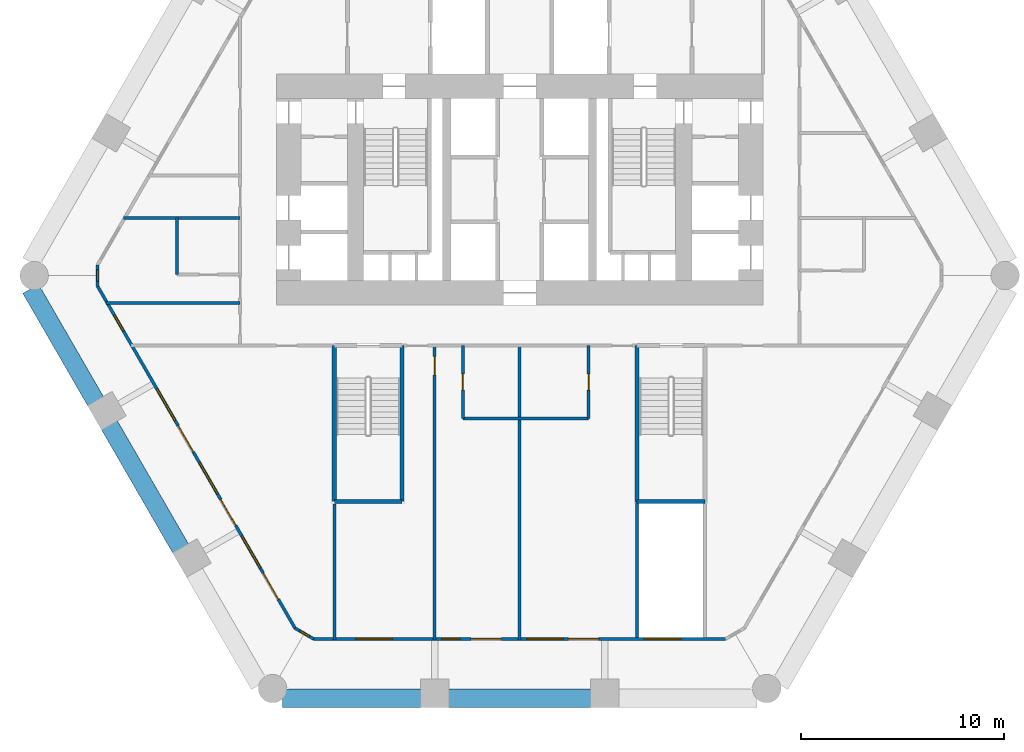
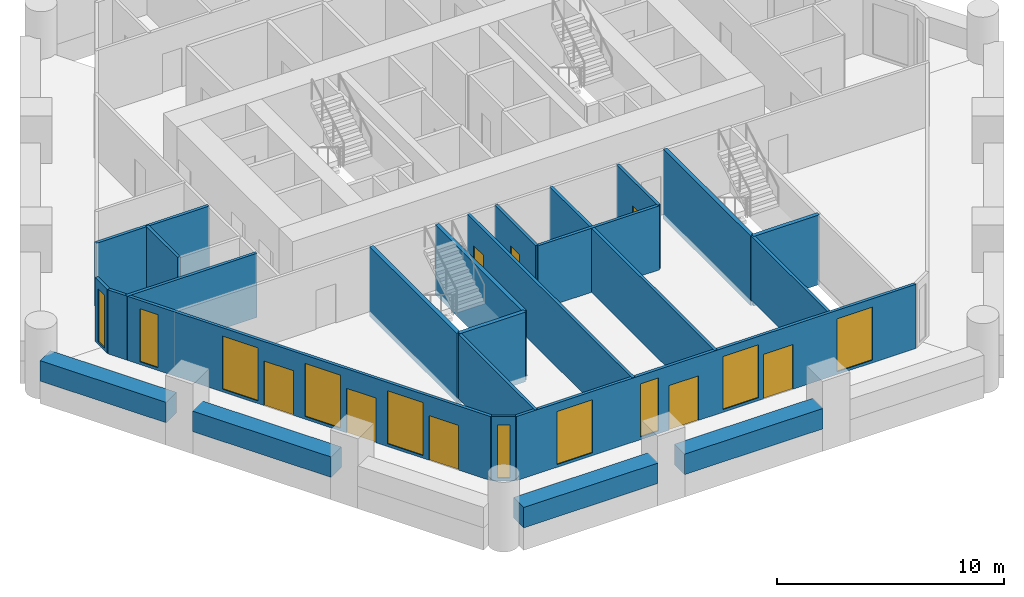
# One storey, part 2 of 8: 23 walls, 10 windows, 8 doors, 18 openings.
"""IFC4 building model written with IfcOpenShell, lengths in metres."""

from ifc_helpers import new_model, si_unit, direction, frame, frame_2d, origin, place, context, subcontext, project, spatial, rectangle, extrude, material, layer, layer_set, type_object, element, fill, save


model = new_model("IFC4")

# Units and contexts
model_context = context("Model", 3, precision=1e-05, world=origin(), true_north=direction((0.0, 1.0)))
body_context = subcontext(model_context, "Body", "Model", "MODEL_VIEW")
ifc_project = project(units=[si_unit("LENGTHUNIT", "METRE"), si_unit("AREAUNIT", "SQUARE_METRE"), si_unit("VOLUMEUNIT", "CUBIC_METRE"), si_unit("PLANEANGLEUNIT", "RADIAN"), si_unit("MASSUNIT", "GRAM", prefix="KILO")], contexts=[model_context])

# Site, building, storey
site_placement = place(None, origin())
site = spatial("IfcSite", under=ifc_project, at=site_placement, CompositionType="ELEMENT")
building_placement = place(site_placement, origin())
building = spatial("IfcBuilding", under=site, at=building_placement, Name="Ostrander Bayou Hotel Tower", CompositionType="ELEMENT")
storey_placement = place(building_placement, frame((0.0, 0.0, 43.0)))
storey = spatial("IfcBuildingStorey", under=building, at=storey_placement, Name="L10", CompositionType="ELEMENT", Elevation=43.0)

# Wall, openings, doors, windows
ifc_material_1 = material(Name="Aluminium framed insulated wall", Category="aluminium")
ifc_layer_1 = layer(ifc_material_1, 0.14990234375)
ifc_layer_set_1 = layer_set([ifc_layer_1], Name="GW1 glass-line wall 150 mm")
wall_type_1 = type_object("IfcWallType", Name="GW1 glass-line wall 150 mm", PredefinedType="SOLIDWALL", material=ifc_layer_set_1)
wall_1_placement = place(storey_placement, frame((-20.826171875, -0.778076171875, 0.0), z_axis=(0.0, 0.0, 1.0), x_axis=(0.499999841607, -0.866025495233, 0.0)))
wall_1 = element("IfcWall", 1, at=wall_1_placement, inside=storey, type_object=wall_type_1, Name="GW1 L10 SW 1", PredefinedType="SOLIDWALL", context=body_context, shape_type="SweptSolid", body=[
    extrude(rectangle(XDim=19.478515625, YDim=0.14990234375, at=frame_2d((9.7392578125, 0.0))), origin(), (0.0, 0.0, 1.0), 3.449951171875),
])
opening_1_placement = place(wall_1_placement, frame((1.639404296875, 0.0, 0.14990234375)))
opening_1 = element("IfcOpeningElement", 2, at=opening_1_placement, cuts=wall_1, Name="Opening W15", PredefinedType="OPENING", context=body_context, shape_type="SweptSolid", body=[
    extrude(rectangle(XDim=0.89990234375, YDim=2.85009765625, at=frame_2d((0.449951171875, 1.425048828125))), frame((0.0, 0.074951171875, 0.0), z_axis=(0.0, -1.0, 0.0), x_axis=(1.0, 0.0, 0.0)), (0.0, 0.0, 1.0), 0.14990234375),
])
opening_2_placement = place(wall_1_placement, frame((5.83935546875, 0.0, 0.14990234375)))
opening_2 = element("IfcOpeningElement", 3, at=opening_2_placement, cuts=wall_1, Name="Opening W1", PredefinedType="OPENING", context=body_context, shape_type="SweptSolid", body=[
    extrude(rectangle(XDim=1.800048828125, YDim=2.85009765625, at=frame_2d((0.89990234375, 1.425048828125))), frame((0.0, 0.074951171875, 0.0), z_axis=(0.0, -1.0, 0.0), x_axis=(1.0, 0.0, 0.0)), (0.0, 0.0, 1.0), 0.14990234375),
])
opening_3_placement = place(wall_1_placement, frame((7.939208984375, 0.0, 0.0)))
opening_3 = element("IfcOpeningElement", 4, at=opening_3_placement, cuts=wall_1, Name="Opening T09-800", PredefinedType="OPENING", context=body_context, shape_type="SweptSolid", body=[
    extrude(rectangle(XDim=1.5, YDim=2.39990234375, at=frame_2d((0.75, 1.199951171875))), frame((0.0, 0.074951171875, 0.0), z_axis=(0.0, -1.0, 0.0), x_axis=(1.0, 0.0, 0.0)), (0.0, 0.0, 1.0), 0.14990234375),
])
opening_4_placement = place(wall_1_placement, frame((10.039306640625, 0.0, 0.14990234375)))
opening_4 = element("IfcOpeningElement", 5, at=opening_4_placement, cuts=wall_1, Name="Opening W1", PredefinedType="OPENING", context=body_context, shape_type="SweptSolid", body=[
    extrude(rectangle(XDim=1.800048828125, YDim=2.85009765625, at=frame_2d((0.89990234375, 1.425048828125))), frame((0.0, 0.074951171875, 0.0), z_axis=(0.0, -1.0, 0.0), x_axis=(1.0, 0.0, 0.0)), (0.0, 0.0, 1.0), 0.14990234375),
])
opening_5_placement = place(wall_1_placement, frame((12.139404296875, 0.0, 0.0)))
opening_5 = element("IfcOpeningElement", 6, at=opening_5_placement, cuts=wall_1, Name="Opening T09-801", PredefinedType="OPENING", context=body_context, shape_type="SweptSolid", body=[
    extrude(rectangle(XDim=1.5, YDim=2.39990234375, at=frame_2d((0.75, 1.199951171875))), frame((0.0, 0.074951171875, 0.0), z_axis=(0.0, -1.0, 0.0), x_axis=(1.0, 0.0, 0.0)), (0.0, 0.0, 1.0), 0.14990234375),
])
opening_6_placement = place(wall_1_placement, frame((14.2392578125, 0.0, 0.14990234375)))
opening_6 = element("IfcOpeningElement", 7, at=opening_6_placement, cuts=wall_1, Name="Opening W1", PredefinedType="OPENING", context=body_context, shape_type="SweptSolid", body=[
    extrude(rectangle(XDim=1.800048828125, YDim=2.85009765625, at=frame_2d((0.89990234375, 1.425048828125))), frame((0.0, 0.074951171875, 0.0), z_axis=(0.0, -1.0, 0.0), x_axis=(1.0, 0.0, 0.0)), (0.0, 0.0, 1.0), 0.14990234375),
])
opening_7_placement = place(wall_1_placement, frame((16.33935546875, 0.0, 0.0)))
opening_7 = element("IfcOpeningElement", 8, at=opening_7_placement, cuts=wall_1, Name="Opening T09-802", PredefinedType="OPENING", context=body_context, shape_type="SweptSolid", body=[
    extrude(rectangle(XDim=1.5, YDim=2.39990234375, at=frame_2d((0.75, 1.199951171875))), frame((0.0, 0.074951171875, 0.0), z_axis=(0.0, -1.0, 0.0), x_axis=(1.0, 0.0, 0.0)), (0.0, 0.0, 1.0), 0.14990234375),
])
ifc_material_2 = material(Name="Aluminium and clear glass", Category="aluminium")
door_type_1 = type_object("IfcDoorType", Name="SD1 sliding glass door 1500 mm, zone 1", OperationType="SLIDING_TO_LEFT", PredefinedType="DOOR", material=ifc_material_2)
door_1_placement = place(opening_3_placement, origin())
door_1 = element("IfcDoor", 9, at=door_1_placement, inside=storey, type_object=door_type_1, Name="SD1 L10 SW 2", OperationType="SLIDING_TO_RIGHT", OverallHeight=2.39990234375, OverallWidth=1.5, PredefinedType="DOOR", context=body_context, shape_type="SweptSolid", body=[
    extrude(rectangle(XDim=1.5, YDim=2.39990234375, at=frame_2d((0.75, 1.199951171875))), frame((0.0, 0.02490234375, 0.0), z_axis=(0.0, -1.0, 0.0), x_axis=(1.0, 0.0, 0.0)), (0.0, 0.0, 1.0), 0.050048828125),
])
fill(opening_3, door_1)
door_2_placement = place(opening_5_placement, origin())
door_2 = element("IfcDoor", 10, at=door_2_placement, inside=storey, type_object=door_type_1, Name="SD1 L10 SW 3", OperationType="SLIDING_TO_LEFT", OverallHeight=2.39990234375, OverallWidth=1.5, PredefinedType="DOOR", context=body_context, shape_type="SweptSolid", body=[
    extrude(rectangle(XDim=1.5, YDim=2.39990234375, at=frame_2d((0.75, 1.199951171875))), frame((0.0, 0.02490234375, 0.0), z_axis=(0.0, -1.0, 0.0), x_axis=(1.0, 0.0, 0.0)), (0.0, 0.0, 1.0), 0.050048828125),
])
fill(opening_5, door_2)
door_3_placement = place(opening_7_placement, origin())
door_3 = element("IfcDoor", 11, at=door_3_placement, inside=storey, type_object=door_type_1, Name="SD1 L10 SW 4", OperationType="SLIDING_TO_RIGHT", OverallHeight=2.39990234375, OverallWidth=1.5, PredefinedType="DOOR", context=body_context, shape_type="SweptSolid", body=[
    extrude(rectangle(XDim=1.5, YDim=2.39990234375, at=frame_2d((0.75, 1.199951171875))), frame((0.0, 0.02490234375, 0.0), z_axis=(0.0, -1.0, 0.0), x_axis=(1.0, 0.0, 0.0)), (0.0, 0.0, 1.0), 0.050048828125),
])
fill(opening_7, door_3)
ifc_material_3 = material(Name="Aluminium and clear glass", Category="aluminium")
window_type_1 = type_object("IfcWindowType", Name="W1 fixed window 1800 mm, zone 1", PartitioningType="SINGLE_PANEL", PredefinedType="WINDOW", material=ifc_material_3)
window_1_placement = place(opening_2_placement, origin())
window_1 = element("IfcWindow", 12, at=window_1_placement, inside=storey, type_object=window_type_1, Name="W1 L10 SW 2", OverallHeight=2.85009765625, OverallWidth=1.800048828125, PartitioningType="SINGLE_PANEL", PredefinedType="WINDOW", context=body_context, shape_type="SweptSolid", body=[
    extrude(rectangle(XDim=1.800048828125, YDim=2.85009765625, at=frame_2d((0.89990234375, 1.425048828125))), frame((0.0, 0.030029296875, 0.0), z_axis=(0.0, -1.0, 0.0), x_axis=(1.0, 0.0, 0.0)), (0.0, 0.0, 1.0), 0.06005859375),
])
fill(opening_2, window_1)
window_2_placement = place(opening_4_placement, origin())
window_2 = element("IfcWindow", 13, at=window_2_placement, inside=storey, type_object=window_type_1, Name="W1 L10 SW 3", OverallHeight=2.85009765625, OverallWidth=1.800048828125, PartitioningType="SINGLE_PANEL", PredefinedType="WINDOW", context=body_context, shape_type="SweptSolid", body=[
    extrude(rectangle(XDim=1.800048828125, YDim=2.85009765625, at=frame_2d((0.89990234375, 1.425048828125))), frame((0.0, 0.030029296875, 0.0), z_axis=(0.0, -1.0, 0.0), x_axis=(1.0, 0.0, 0.0)), (0.0, 0.0, 1.0), 0.06005859375),
])
fill(opening_4, window_2)
window_3_placement = place(opening_6_placement, origin())
window_3 = element("IfcWindow", 14, at=window_3_placement, inside=storey, type_object=window_type_1, Name="W1 L10 SW 4", OverallHeight=2.85009765625, OverallWidth=1.800048828125, PartitioningType="SINGLE_PANEL", PredefinedType="WINDOW", context=body_context, shape_type="SweptSolid", body=[
    extrude(rectangle(XDim=1.800048828125, YDim=2.85009765625, at=frame_2d((0.89990234375, 1.425048828125))), frame((0.0, 0.030029296875, 0.0), z_axis=(0.0, -1.0, 0.0), x_axis=(1.0, 0.0, 0.0)), (0.0, 0.0, 1.0), 0.06005859375),
])
fill(opening_6, window_3)
ifc_material_4 = material(Name="Aluminium and clear glass", Category="aluminium")
window_type_2 = type_object("IfcWindowType", Name="W15 window 900 mm, zone 1", PartitioningType="SINGLE_PANEL", PredefinedType="WINDOW", material=ifc_material_4)
window_4_placement = place(opening_1_placement, origin())
window_4 = element("IfcWindow", 15, at=window_4_placement, inside=storey, type_object=window_type_2, Name="W15 L10 SW 1", OverallHeight=2.85009765625, OverallWidth=0.89990234375, PartitioningType="SINGLE_PANEL", PredefinedType="WINDOW", context=body_context, shape_type="SweptSolid", body=[
    extrude(rectangle(XDim=0.89990234375, YDim=2.85009765625, at=frame_2d((0.449951171875, 1.425048828125))), frame((0.0, 0.030029296875, 0.0), z_axis=(0.0, -1.0, 0.0), x_axis=(1.0, 0.0, 0.0)), (0.0, 0.0, 1.0), 0.06005859375),
])
fill(opening_1, window_4)

wall_2_placement = place(storey_placement, frame((-10.16455078125, -18.179443359375, 0.0), z_axis=(0.0, 0.0, 1.0), x_axis=(1.0, 0.0, 0.0)))
wall_2 = element("IfcWall", 16, at=wall_2_placement, inside=storey, type_object=wall_type_1, Name="GW1 L10 S 1", PredefinedType="SOLIDWALL", context=body_context, shape_type="SweptSolid", body=[
    extrude(rectangle(XDim=20.3291015625, YDim=0.14990234375, at=frame_2d((10.16455078125, 0.0))), origin(), (0.0, 0.0, 1.0), 3.449951171875),
])
opening_8_placement = place(wall_2_placement, frame((2.064453125, 0.0, 0.14990234375)))
opening_8 = element("IfcOpeningElement", 17, at=opening_8_placement, cuts=wall_2, Name="Opening W1", PredefinedType="OPENING", context=body_context, shape_type="SweptSolid", body=[
    extrude(rectangle(XDim=1.800048828125, YDim=2.85009765625, at=frame_2d((0.89990234375, 1.425048828125))), frame((0.0, 0.074951171875, 0.0), z_axis=(0.0, -1.0, 0.0), x_axis=(1.0, 0.0, 0.0)), (0.0, 0.0, 1.0), 0.14990234375),
])
opening_9_placement = place(wall_2_placement, frame((6.314453125, 0.0, 0.14990234375)))
opening_9 = element("IfcOpeningElement", 18, at=opening_9_placement, cuts=wall_2, Name="Opening W15", PredefinedType="OPENING", context=body_context, shape_type="SweptSolid", body=[
    extrude(rectangle(XDim=0.89990234375, YDim=2.85009765625, at=frame_2d((0.449951171875, 1.425048828125))), frame((0.0, 0.074951171875, 0.0), z_axis=(0.0, -1.0, 0.0), x_axis=(1.0, 0.0, 0.0)), (0.0, 0.0, 1.0), 0.14990234375),
])
opening_10_placement = place(wall_2_placement, frame((7.764404296875, 0.0, 0.0)))
opening_10 = element("IfcOpeningElement", 19, at=opening_10_placement, cuts=wall_2, Name="Opening T09-803", PredefinedType="OPENING", context=body_context, shape_type="SweptSolid", body=[
    extrude(rectangle(XDim=1.5, YDim=2.39990234375, at=frame_2d((0.75, 1.199951171875))), frame((0.0, 0.074951171875, 0.0), z_axis=(0.0, -1.0, 0.0), x_axis=(1.0, 0.0, 0.0)), (0.0, 0.0, 1.0), 0.14990234375),
])
opening_11_placement = place(wall_2_placement, frame((10.514404296875, 0.0, 0.14990234375)))
opening_11 = element("IfcOpeningElement", 20, at=opening_11_placement, cuts=wall_2, Name="Opening W1", PredefinedType="OPENING", context=body_context, shape_type="SweptSolid", body=[
    extrude(rectangle(XDim=1.800048828125, YDim=2.85009765625, at=frame_2d((0.89990234375, 1.425048828125))), frame((0.0, 0.074951171875, 0.0), z_axis=(0.0, -1.0, 0.0), x_axis=(1.0, 0.0, 0.0)), (0.0, 0.0, 1.0), 0.14990234375),
])
opening_12_placement = place(wall_2_placement, frame((12.564453125, 0.0, 0.0)))
opening_12 = element("IfcOpeningElement", 21, at=opening_12_placement, cuts=wall_2, Name="Opening T09-804", PredefinedType="OPENING", context=body_context, shape_type="SweptSolid", body=[
    extrude(rectangle(XDim=1.5, YDim=2.39990234375, at=frame_2d((0.75, 1.199951171875))), frame((0.0, 0.074951171875, 0.0), z_axis=(0.0, -1.0, 0.0), x_axis=(1.0, 0.0, 0.0)), (0.0, 0.0, 1.0), 0.14990234375),
])
opening_13_placement = place(wall_2_placement, frame((16.314453125, 0.0, 0.14990234375)))
opening_13 = element("IfcOpeningElement", 22, at=opening_13_placement, cuts=wall_2, Name="Opening W1", PredefinedType="OPENING", context=body_context, shape_type="SweptSolid", body=[
    extrude(rectangle(XDim=1.800048828125, YDim=2.85009765625, at=frame_2d((0.89990234375, 1.425048828125))), frame((0.0, 0.074951171875, 0.0), z_axis=(0.0, -1.0, 0.0), x_axis=(1.0, 0.0, 0.0)), (0.0, 0.0, 1.0), 0.14990234375),
])
door_4_placement = place(opening_10_placement, origin())
door_4 = element("IfcDoor", 23, at=door_4_placement, inside=storey, type_object=door_type_1, Name="SD1 L10 S 2", OperationType="SLIDING_TO_RIGHT", OverallHeight=2.39990234375, OverallWidth=1.5, PredefinedType="DOOR", context=body_context, shape_type="SweptSolid", body=[
    extrude(rectangle(XDim=1.5, YDim=2.39990234375, at=frame_2d((0.75, 1.199951171875))), frame((0.0, 0.02490234375, 0.0), z_axis=(0.0, -1.0, 0.0), x_axis=(1.0, 0.0, 0.0)), (0.0, 0.0, 1.0), 0.050048828125),
])
fill(opening_10, door_4)
door_5_placement = place(opening_12_placement, origin())
door_5 = element("IfcDoor", 24, at=door_5_placement, inside=storey, type_object=door_type_1, Name="SD1 L10 S 3", OperationType="SLIDING_TO_LEFT", OverallHeight=2.39990234375, OverallWidth=1.5, PredefinedType="DOOR", context=body_context, shape_type="SweptSolid", body=[
    extrude(rectangle(XDim=1.5, YDim=2.39990234375, at=frame_2d((0.75, 1.199951171875))), frame((0.0, 0.02490234375, 0.0), z_axis=(0.0, -1.0, 0.0), x_axis=(1.0, 0.0, 0.0)), (0.0, 0.0, 1.0), 0.050048828125),
])
fill(opening_12, door_5)
window_5_placement = place(opening_8_placement, origin())
window_5 = element("IfcWindow", 25, at=window_5_placement, inside=storey, type_object=window_type_1, Name="W1 L10 S 1", OverallHeight=2.85009765625, OverallWidth=1.800048828125, PartitioningType="SINGLE_PANEL", PredefinedType="WINDOW", context=body_context, shape_type="SweptSolid", body=[
    extrude(rectangle(XDim=1.800048828125, YDim=2.85009765625, at=frame_2d((0.89990234375, 1.425048828125))), frame((0.0, 0.030029296875, 0.0), z_axis=(0.0, -1.0, 0.0), x_axis=(1.0, 0.0, 0.0)), (0.0, 0.0, 1.0), 0.06005859375),
])
fill(opening_8, window_5)
window_6_placement = place(opening_11_placement, origin())
window_6 = element("IfcWindow", 26, at=window_6_placement, inside=storey, type_object=window_type_1, Name="W1 L10 S 3", OverallHeight=2.85009765625, OverallWidth=1.800048828125, PartitioningType="SINGLE_PANEL", PredefinedType="WINDOW", context=body_context, shape_type="SweptSolid", body=[
    extrude(rectangle(XDim=1.800048828125, YDim=2.85009765625, at=frame_2d((0.89990234375, 1.425048828125))), frame((0.0, 0.030029296875, 0.0), z_axis=(0.0, -1.0, 0.0), x_axis=(1.0, 0.0, 0.0)), (0.0, 0.0, 1.0), 0.06005859375),
])
fill(opening_11, window_6)
window_7_placement = place(opening_13_placement, origin())
window_7 = element("IfcWindow", 27, at=window_7_placement, inside=storey, type_object=window_type_1, Name="W1 L10 S 4", OverallHeight=2.85009765625, OverallWidth=1.800048828125, PartitioningType="SINGLE_PANEL", PredefinedType="WINDOW", context=body_context, shape_type="SweptSolid", body=[
    extrude(rectangle(XDim=1.800048828125, YDim=2.85009765625, at=frame_2d((0.89990234375, 1.425048828125))), frame((0.0, 0.030029296875, 0.0), z_axis=(0.0, -1.0, 0.0), x_axis=(1.0, 0.0, 0.0)), (0.0, 0.0, 1.0), 0.06005859375),
])
fill(opening_13, window_7)
window_8_placement = place(opening_9_placement, origin())
window_8 = element("IfcWindow", 28, at=window_8_placement, inside=storey, type_object=window_type_2, Name="W15 L10 S 2", OverallHeight=2.85009765625, OverallWidth=0.89990234375, PartitioningType="SINGLE_PANEL", PredefinedType="WINDOW", context=body_context, shape_type="SweptSolid", body=[
    extrude(rectangle(XDim=0.89990234375, YDim=2.85009765625, at=frame_2d((0.449951171875, 1.425048828125))), frame((0.0, 0.030029296875, 0.0), z_axis=(0.0, -1.0, 0.0), x_axis=(1.0, 0.0, 0.0)), (0.0, 0.0, 1.0), 0.06005859375),
])
fill(opening_9, window_8)

# Wall, opening, window
wall_3_placement = place(storey_placement, frame((-20.826171875, 0.287109375, 0.0), z_axis=(0.0, 0.0, 1.0), x_axis=(0.0, -1.0, 0.0)))
wall_3 = element("IfcWall", 29, at=wall_3_placement, inside=storey, type_object=wall_type_1, Name="GW1 L10 corner 2", PredefinedType="SOLIDWALL", context=body_context, shape_type="SweptSolid", body=[
    extrude(rectangle(XDim=1.065185546875, YDim=0.14990234375, at=frame_2d((0.53271484375, 0.0))), origin(), (0.0, 0.0, 1.0), 3.449951171875),
])
opening_14_placement = place(wall_3_placement, frame((0.257568359375, 0.0, 0.14990234375)))
opening_14 = element("IfcOpeningElement", 30, at=opening_14_placement, cuts=wall_3, Name="Opening W19", PredefinedType="OPENING", context=body_context, shape_type="SweptSolid", body=[
    extrude(rectangle(XDim=0.550048828125, YDim=2.85009765625, at=frame_2d((0.27490234375, 1.425048828125))), frame((0.0, 0.074951171875, 0.0), z_axis=(0.0, -1.0, 0.0), x_axis=(1.0, 0.0, 0.0)), (0.0, 0.0, 1.0), 0.14990234375),
])
ifc_material_5 = material(Name="Aluminium and clear glass", Category="aluminium")
window_type_3 = type_object("IfcWindowType", Name="W19 corner window 550 mm", PartitioningType="SINGLE_PANEL", PredefinedType="WINDOW", material=ifc_material_5)
window_9_placement = place(opening_14_placement, origin())
window_9 = element("IfcWindow", 31, at=window_9_placement, inside=storey, type_object=window_type_3, Name="W19 L10 corner 2", OverallHeight=2.85009765625, OverallWidth=0.550048828125, PartitioningType="SINGLE_PANEL", PredefinedType="WINDOW", context=body_context, shape_type="SweptSolid", body=[
    extrude(rectangle(XDim=0.550048828125, YDim=2.85009765625, at=frame_2d((0.27490234375, 1.425048828125))), frame((0.0, 0.030029296875, 0.0), z_axis=(0.0, -1.0, 0.0), x_axis=(1.0, 0.0, 0.0)), (0.0, 0.0, 1.0), 0.06005859375),
])
fill(opening_14, window_9)

wall_4_placement = place(storey_placement, frame((-11.0869140625, -17.64697265625, 0.0), z_axis=(0.0, 0.0, 1.0), x_axis=(0.866048165231, -0.499960573946, 0.0)))
wall_4 = element("IfcWall", 32, at=wall_4_placement, inside=storey, type_object=wall_type_1, Name="GW1 L10 corner 3", PredefinedType="SOLIDWALL", context=body_context, shape_type="SweptSolid", body=[
    extrude(rectangle(XDim=1.06494140625, YDim=0.14990234375, at=frame_2d((0.532470703125, 0.0))), origin(), (0.0, 0.0, 1.0), 3.449951171875),
])
opening_15_placement = place(wall_4_placement, frame((0.257568359375, 0.0, 0.14990234375)))
opening_15 = element("IfcOpeningElement", 33, at=opening_15_placement, cuts=wall_4, Name="Opening W19", PredefinedType="OPENING", context=body_context, shape_type="SweptSolid", body=[
    extrude(rectangle(XDim=0.550048828125, YDim=2.85009765625, at=frame_2d((0.27490234375, 1.425048828125))), frame((0.0, 0.074951171875, 0.0), z_axis=(0.0, -1.0, 0.0), x_axis=(1.0, 0.0, 0.0)), (0.0, 0.0, 1.0), 0.14990234375),
])
window_10_placement = place(opening_15_placement, origin())
window_10 = element("IfcWindow", 34, at=window_10_placement, inside=storey, type_object=window_type_3, Name="W19 L10 corner 3", OverallHeight=2.85009765625, OverallWidth=0.550048828125, PartitioningType="SINGLE_PANEL", PredefinedType="WINDOW", context=body_context, shape_type="SweptSolid", body=[
    extrude(rectangle(XDim=0.550048828125, YDim=2.85009765625, at=frame_2d((0.27490234375, 1.425048828125))), frame((0.0, 0.030029296875, 0.0), z_axis=(0.0, -1.0, 0.0), x_axis=(1.0, 0.0, 0.0)), (0.0, 0.0, 1.0), 0.06005859375),
])
fill(opening_15, window_10)

# Walls
ifc_material_6 = material(Name="Concrete f'c 40 MPa", Category="concrete")
ifc_layer_2 = layer(ifc_material_6, 0.89990234375)
ifc_layer_set_2 = layer_set([ifc_layer_2], Name="PA1 stone-faced parapet 900 mm")
wall_type_2 = type_object("IfcWallType", Name="PA1 stone-faced parapet 900 mm", PredefinedType="PARAPET", material=ifc_layer_set_2)
wall_5_placement = place(storey_placement, frame((-11.710693359375, -21.1044921875, 0.0), z_axis=(0.0, 0.0, 1.0), x_axis=(1.0, 0.0, 0.0)))
element("IfcWall", 35, at=wall_5_placement, inside=storey, type_object=wall_type_2, Name="PA1 L10 S-1", PredefinedType="PARAPET", context=body_context, shape_type="SweptSolid", body=[
    extrude(rectangle(XDim=6.84521484375, YDim=0.89990234375, at=frame_2d((3.422607421875, 0.0))), origin(), (0.0, 0.0, 1.0), 1.10009765625),
])
wall_6_placement = place(storey_placement, frame((-3.525390625, -21.1044921875, 0.0), z_axis=(0.0, 0.0, 1.0), x_axis=(1.0, 0.0, 0.0)))
element("IfcWall", 36, at=wall_6_placement, inside=storey, type_object=wall_type_2, Name="PA1 L10 S-2", PredefinedType="PARAPET", context=body_context, shape_type="SweptSolid", body=[
    extrude(rectangle(XDim=7.05078125, YDim=0.89990234375, at=frame_2d((3.525390625, 0.0))), origin(), (0.0, 0.0, 1.0), 1.10009765625),
])
ifc_material_7 = material(Name="Limestone masonry", Category="masonry")
ifc_layer_3 = layer(ifc_material_7, 0.89990234375)
ifc_layer_set_3 = layer_set([ifc_layer_3], Name="PA2 limestone parapet 900 mm")
wall_type_3 = type_object("IfcWallType", Name="PA2 limestone parapet 900 mm", PredefinedType="PARAPET", material=ifc_layer_set_3)
wall_7_placement = place(storey_placement, frame((-24.13232421875, -0.9013671875, 0.0), z_axis=(0.0, 0.0, 1.0), x_axis=(0.499983599745, -0.866034872269, 0.0)))
element("IfcWall", 37, at=wall_7_placement, inside=storey, type_object=wall_type_3, Name="PA2 L10 SW-1", PredefinedType="PARAPET", context=body_context, shape_type="SweptSolid", body=[
    extrude(rectangle(XDim=6.420166015625, YDim=0.89990234375, at=frame_2d((3.2099609375, 0.0))), origin(), (0.0, 0.0, 1.0), 1.10009765625),
])
wall_8_placement = place(storey_placement, frame((-20.252197265625, -7.621826171875, 0.0), z_axis=(0.0, 0.0, 1.0), x_axis=(0.499997206141, -0.866027016814, 0.0)))
element("IfcWall", 38, at=wall_8_placement, inside=storey, type_object=wall_type_3, Name="PA2 L10 SW-2", PredefinedType="PARAPET", context=body_context, shape_type="SweptSolid", body=[
    extrude(rectangle(XDim=7.05078125, YDim=0.89990234375, at=frame_2d((3.525390625, 0.0))), origin(), (0.0, 0.0, 1.0), 1.10009765625),
])
ifc_material_8 = material(Name="Gypsum board partition", Category="finish")
ifc_layer_4 = layer(ifc_material_8, 0.14990234375)
ifc_layer_set_4 = layer_set([ifc_layer_4], Name="PT7 riser wall 150 mm, 2 hour")
wall_type_4 = type_object("IfcWallType", Name="PT7 riser wall 150 mm, 2 hour", PredefinedType="PARTITIONING", material=ifc_layer_set_4)
wall_9_placement = place(storey_placement, frame((5.800048828125, -11.39990234375, 0.0), z_axis=(0.0, 0.0, 1.0), x_axis=(0.0, -1.0, 0.0)))
element("IfcWall", 39, at=wall_9_placement, inside=storey, type_object=wall_type_4, Name="cs:L10:021", PredefinedType="PARTITIONING", context=body_context, shape_type="SweptSolid", body=[
    extrude(rectangle(XDim=6.70458984375, YDim=0.14990234375, at=frame_2d((3.352294921875, 0.0))), origin(), (0.0, 0.0, 1.0), 3.449951171875),
])
ifc_material_9 = material(Name="Gypsum board partition", Category="finish")
ifc_layer_5 = layer(ifc_material_9, 0.14990234375)
ifc_layer_set_5 = layer_set([ifc_layer_5], Name="PT8 service band wall 150 mm, 1 hour")
wall_type_5 = type_object("IfcWallType", Name="PT8 service band wall 150 mm, 1 hour", PredefinedType="PARTITIONING", material=ifc_layer_set_5)
wall_10_placement = place(storey_placement, frame((-2.800048828125, -7.300048828125, 0.0), z_axis=(0.0, 0.0, 1.0), x_axis=(1.0, 0.0, 0.0)))
element("IfcWall", 40, at=wall_10_placement, inside=storey, type_object=wall_type_5, Name="gw:L10:001", PredefinedType="PARTITIONING", context=body_context, shape_type="SweptSolid", body=[
    extrude(rectangle(XDim=6.199951171875, YDim=0.14990234375, at=frame_2d((3.10009765625, 0.0))), origin(), (0.0, 0.0, 1.0), 3.449951171875),
])
wall_11_placement = place(storey_placement, frame((-20.404052734375, -1.60009765625, 0.0), z_axis=(0.0, 0.0, 1.0), x_axis=(1.0, 0.0, 0.0)))
element("IfcWall", 41, at=wall_11_placement, inside=storey, type_object=wall_type_5, Name="gw:L10:005", PredefinedType="PARTITIONING", context=body_context, shape_type="SweptSolid", body=[
    extrude(rectangle(XDim=6.60400390625, YDim=0.14990234375, at=frame_2d((3.302001953125, 0.0))), origin(), (0.0, 0.0, 1.0), 3.449951171875),
])
wall_12_placement = place(storey_placement, frame((-19.54296875, 2.60009765625, 0.0), z_axis=(0.0, 0.0, 1.0), x_axis=(1.0, 0.0, 0.0)))
element("IfcWall", 42, at=wall_12_placement, inside=storey, type_object=wall_type_5, Name="gw:L10:008", PredefinedType="PARTITIONING", context=body_context, shape_type="SweptSolid", body=[
    extrude(rectangle(XDim=5.742919921875, YDim=0.14990234375, at=frame_2d((2.87158203125, 0.0))), origin(), (0.0, 0.0, 1.0), 3.449951171875),
])

# Wall, opening, door
wall_13_placement = place(storey_placement, frame((3.39990234375, -7.300048828125, 0.0), z_axis=(0.0, 0.0, 1.0), x_axis=(0.0, 1.0, 0.0)))
wall_13 = element("IfcWall", 43, at=wall_13_placement, inside=storey, type_object=wall_type_5, Name="gw:L10:026", PredefinedType="PARTITIONING", context=body_context, shape_type="SweptSolid", body=[
    extrude(rectangle(XDim=3.60009765625, YDim=0.14990234375, at=frame_2d((1.800048828125, 0.0))), origin(), (0.0, 0.0, 1.0), 3.449951171875),
])
opening_16_placement = place(wall_13_placement, frame((1.39990234375, 0.0, 0.0)))
opening_16 = element("IfcOpeningElement", 44, at=opening_16_placement, cuts=wall_13, Name="Opening T09-405", PredefinedType="OPENING", context=body_context, shape_type="SweptSolid", body=[
    extrude(rectangle(XDim=0.800048828125, YDim=2.10009765625, at=frame_2d((0.39990234375, 1.050048828125))), frame((0.0, 0.074951171875, 0.0), z_axis=(0.0, -1.0, 0.0), x_axis=(1.0, 0.0, 0.0)), (0.0, 0.0, 1.0), 0.14990234375),
])
ifc_material_10 = material(Name="Timber door leaf", Category="wood")
door_type_2 = type_object("IfcDoorType", Name="D2 bathroom door 800 x 2100 mm", OperationType="SINGLE_SWING_LEFT", PredefinedType="DOOR", material=ifc_material_10)
door_6_placement = place(opening_16_placement, origin())
door_6 = element("IfcDoor", 45, at=door_6_placement, inside=storey, type_object=door_type_2, Name="dr:L10:405", OperationType="SINGLE_SWING_RIGHT", OverallHeight=2.10009765625, OverallWidth=0.800048828125, PredefinedType="DOOR", context=body_context, shape_type="SweptSolid", body=[
    extrude(rectangle(XDim=0.800048828125, YDim=2.10009765625, at=frame_2d((0.39990234375, 1.050048828125))), frame((0.0, 0.02490234375, 0.0), z_axis=(0.0, -1.0, 0.0), x_axis=(1.0, 0.0, 0.0)), (0.0, 0.0, 1.0), 0.050048828125),
])
fill(opening_16, door_6)

# Wall
wall_14_placement = place(storey_placement, frame((0.0, -18.22509765625, 0.0), z_axis=(0.0, 0.0, 1.0), x_axis=(0.0, 1.0, 0.0)))
element("IfcWall", 46, at=wall_14_placement, inside=storey, type_object=wall_type_5, Name="gw:L10:028", PredefinedType="PARTITIONING", context=body_context, shape_type="SweptSolid", body=[
    extrude(rectangle(XDim=14.525146484375, YDim=0.14990234375, at=frame_2d((7.2626953125, 0.0))), origin(), (0.0, 0.0, 1.0), 3.449951171875),
])

# Wall, opening, door
wall_15_placement = place(storey_placement, frame((-2.800048828125, -7.300048828125, 0.0), z_axis=(0.0, 0.0, 1.0), x_axis=(0.0, 1.0, 0.0)))
wall_15 = element("IfcWall", 47, at=wall_15_placement, inside=storey, type_object=wall_type_5, Name="gw:L10:030", PredefinedType="PARTITIONING", context=body_context, shape_type="SweptSolid", body=[
    extrude(rectangle(XDim=3.60009765625, YDim=0.14990234375, at=frame_2d((1.800048828125, 0.0))), origin(), (0.0, 0.0, 1.0), 3.449951171875),
])
opening_17_placement = place(wall_15_placement, frame((1.39990234375, 0.0, 0.0)))
opening_17 = element("IfcOpeningElement", 48, at=opening_17_placement, cuts=wall_15, Name="Opening T09-402", PredefinedType="OPENING", context=body_context, shape_type="SweptSolid", body=[
    extrude(rectangle(XDim=0.800048828125, YDim=2.10009765625, at=frame_2d((0.39990234375, 1.050048828125))), frame((0.0, 0.074951171875, 0.0), z_axis=(0.0, -1.0, 0.0), x_axis=(1.0, 0.0, 0.0)), (0.0, 0.0, 1.0), 0.14990234375),
])
door_7_placement = place(opening_17_placement, origin())
door_7 = element("IfcDoor", 49, at=door_7_placement, inside=storey, type_object=door_type_2, Name="dr:L10:402", OperationType="SINGLE_SWING_RIGHT", OverallHeight=2.10009765625, OverallWidth=0.800048828125, PredefinedType="DOOR", context=body_context, shape_type="SweptSolid", body=[
    extrude(rectangle(XDim=0.800048828125, YDim=2.10009765625, at=frame_2d((0.39990234375, 1.050048828125))), frame((0.0, 0.02490234375, 0.0), z_axis=(0.0, -1.0, 0.0), x_axis=(1.0, 0.0, 0.0)), (0.0, 0.0, 1.0), 0.050048828125),
])
fill(opening_17, door_7)

wall_16_placement = place(storey_placement, frame((-4.199951171875, -18.22509765625, 0.0), z_axis=(0.0, 0.0, 1.0), x_axis=(0.0, 1.0, 0.0)))
wall_16 = element("IfcWall", 50, at=wall_16_placement, inside=storey, type_object=wall_type_5, Name="gw:L10:032", PredefinedType="PARTITIONING", context=body_context, shape_type="SweptSolid", body=[
    extrude(rectangle(XDim=14.525146484375, YDim=0.14990234375, at=frame_2d((7.2626953125, 0.0))), origin(), (0.0, 0.0, 1.0), 3.449951171875),
])
opening_18_placement = place(wall_16_placement, frame((13.074951171875, 0.0, 0.0)))
opening_18 = element("IfcOpeningElement", 51, at=opening_18_placement, cuts=wall_16, Name="Opening T09-401", PredefinedType="OPENING", context=body_context, shape_type="SweptSolid", body=[
    extrude(rectangle(XDim=0.89990234375, YDim=2.10009765625, at=frame_2d((0.449951171875, 1.050048828125))), frame((0.0, 0.074951171875, 0.0), z_axis=(0.0, -1.0, 0.0), x_axis=(1.0, 0.0, 0.0)), (0.0, 0.0, 1.0), 0.14990234375),
])
ifc_material_11 = material(Name="Timber door leaf", Category="wood")
door_type_3 = type_object("IfcDoorType", Name="D8 room door 900 x 2100 mm", OperationType="SINGLE_SWING_LEFT", PredefinedType="DOOR", material=ifc_material_11)
door_8_placement = place(opening_18_placement, origin())
door_8 = element("IfcDoor", 52, at=door_8_placement, inside=storey, type_object=door_type_3, Name="dr:L10:401", OperationType="SINGLE_SWING_RIGHT", OverallHeight=2.10009765625, OverallWidth=0.89990234375, PredefinedType="DOOR", context=body_context, shape_type="SweptSolid", body=[
    extrude(rectangle(XDim=0.89990234375, YDim=2.10009765625, at=frame_2d((0.449951171875, 1.050048828125))), frame((0.0, 0.02490234375, 0.0), z_axis=(0.0, -1.0, 0.0), x_axis=(1.0, 0.0, 0.0)), (0.0, 0.0, 1.0), 0.050048828125),
])
fill(opening_18, door_8)

# Walls
wall_17_placement = place(storey_placement, frame((-9.14990234375, -18.22509765625, 0.0), z_axis=(0.0, 0.0, 1.0), x_axis=(0.0, 1.0, 0.0)))
element("IfcWall", 53, at=wall_17_placement, inside=storey, type_object=wall_type_5, Name="gw:L10:034", PredefinedType="PARTITIONING", context=body_context, shape_type="SweptSolid", body=[
    extrude(rectangle(XDim=6.715087890625, YDim=0.14990234375, at=frame_2d((3.357421875, 0.0))), origin(), (0.0, 0.0, 1.0), 3.449951171875),
])
wall_18_placement = place(storey_placement, frame((-16.9150390625, -0.199951171875, 0.0), z_axis=(0.0, 0.0, 1.0), x_axis=(0.0, 1.0, 0.0)))
element("IfcWall", 54, at=wall_18_placement, inside=storey, type_object=wall_type_5, Name="gw:L10:037", PredefinedType="PARTITIONING", context=body_context, shape_type="SweptSolid", body=[
    extrude(rectangle(XDim=2.800048828125, YDim=0.14990234375, at=frame_2d((1.39990234375, 0.0))), origin(), (0.0, 0.0, 1.0), 3.449951171875),
])
ifc_material_12 = material(Name="Concrete f'c 45 MPa", Category="concrete")
ifc_layer_6 = layer(ifc_material_12, 0.199951171875)
ifc_layer_set_6 = layer_set([ifc_layer_6], Name="SW5 stair enclosure wall 200 mm f'c 45 MPa")
wall_type_6 = type_object("IfcWallType", Name="SW5 stair enclosure wall 200 mm f'c 45 MPa", PredefinedType="SOLIDWALL", material=ifc_layer_set_6)
wall_19_placement = place(storey_placement, frame((5.800048828125, -3.699951171875, -0.300048828125), z_axis=(0.0, 0.0, 1.0), x_axis=(0.0, -1.0, 0.0)))
element("IfcWall", 55, at=wall_19_placement, inside=storey, type_object=wall_type_6, Name="cs:L10:018", PredefinedType="SOLIDWALL", context=body_context, shape_type="SweptSolid", body=[
    extrude(rectangle(XDim=7.699951171875, YDim=0.199951171875, at=frame_2d((3.85009765625, 0.0))), origin(), (0.0, 0.0, 1.0), 3.75),
])
wall_20_placement = place(storey_placement, frame((5.800048828125, -11.39990234375, -0.300048828125), z_axis=(0.0, 0.0, 1.0), x_axis=(1.0, 0.0, 0.0)))
element("IfcWall", 56, at=wall_20_placement, inside=storey, type_object=wall_type_6, Name="cs:L10:020", PredefinedType="SOLIDWALL", context=body_context, shape_type="SweptSolid", body=[
    extrude(rectangle(XDim=3.349853515625, YDim=0.199951171875, at=frame_2d((1.6748046875, 0.0))), origin(), (0.0, 0.0, 1.0), 3.75),
])
for number, where, z_axis, x_axis, name in (
    (57, (-9.14990234375, -3.699951171875, -0.300048828125), (0.0, 0.0, 1.0), (0.0, -1.0, 0.0), "cs:L10:024"),
    (58, (-5.800048828125, -3.699951171875, -0.300048828125), (0.0, 0.0, 1.0), (0.0, -1.0, 0.0), "cs:L10:025"),
):
    element("IfcWall", number, at=place(storey_placement, frame(where, z_axis=z_axis, x_axis=x_axis)), inside=storey, type_object=wall_type_6, Name=name, PredefinedType="SOLIDWALL", context=body_context, shape_type="SweptSolid", body=[
        extrude(rectangle(XDim=7.699951171875, YDim=0.199951171875, at=frame_2d((3.85009765625, 0.0))), origin(), (0.0, 0.0, 1.0), 3.75),
    ])
wall_21_placement = place(storey_placement, frame((-9.14990234375, -11.39990234375, -0.300048828125), z_axis=(0.0, 0.0, 1.0), x_axis=(1.0, 0.0, 0.0)))
element("IfcWall", 59, at=wall_21_placement, inside=storey, type_object=wall_type_6, Name="cs:L10:026", PredefinedType="SOLIDWALL", context=body_context, shape_type="SweptSolid", body=[
    extrude(rectangle(XDim=3.349853515625, YDim=0.199951171875, at=frame_2d((1.6748046875, 0.0))), origin(), (0.0, 0.0, 1.0), 3.75),
])

save(model, "model.ifc")
